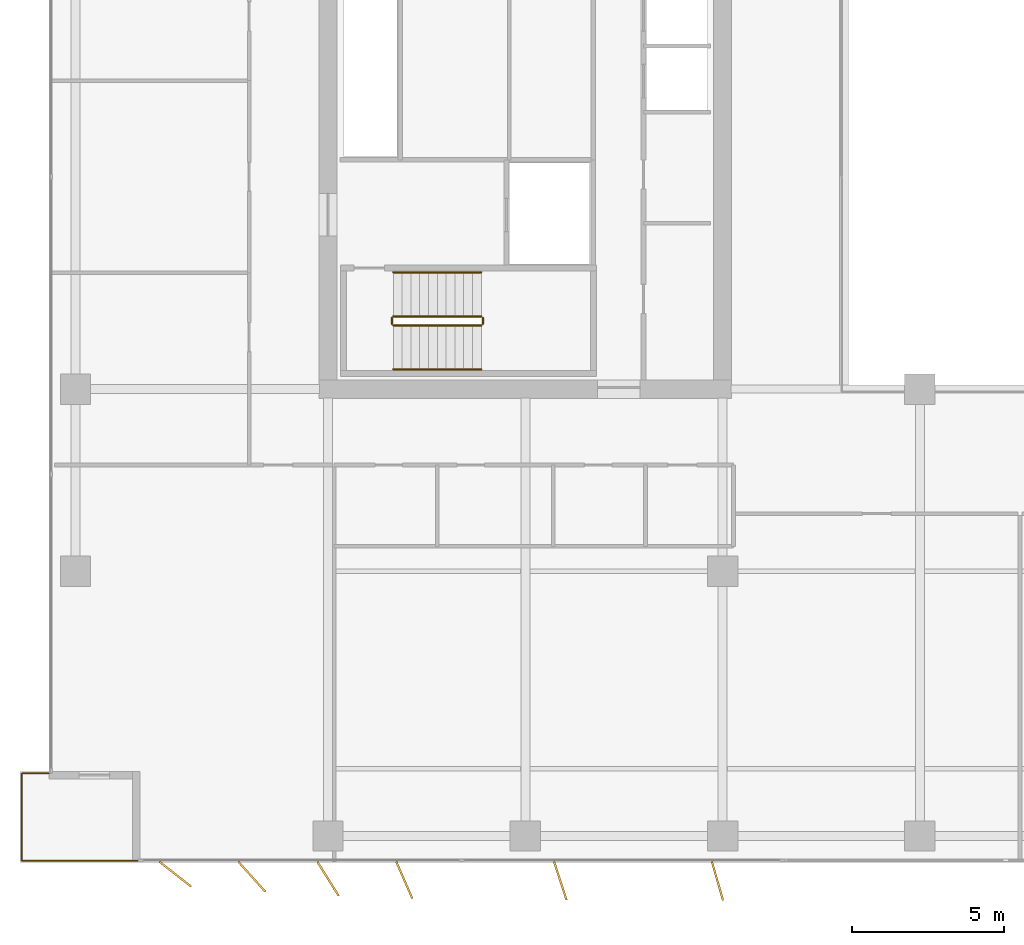
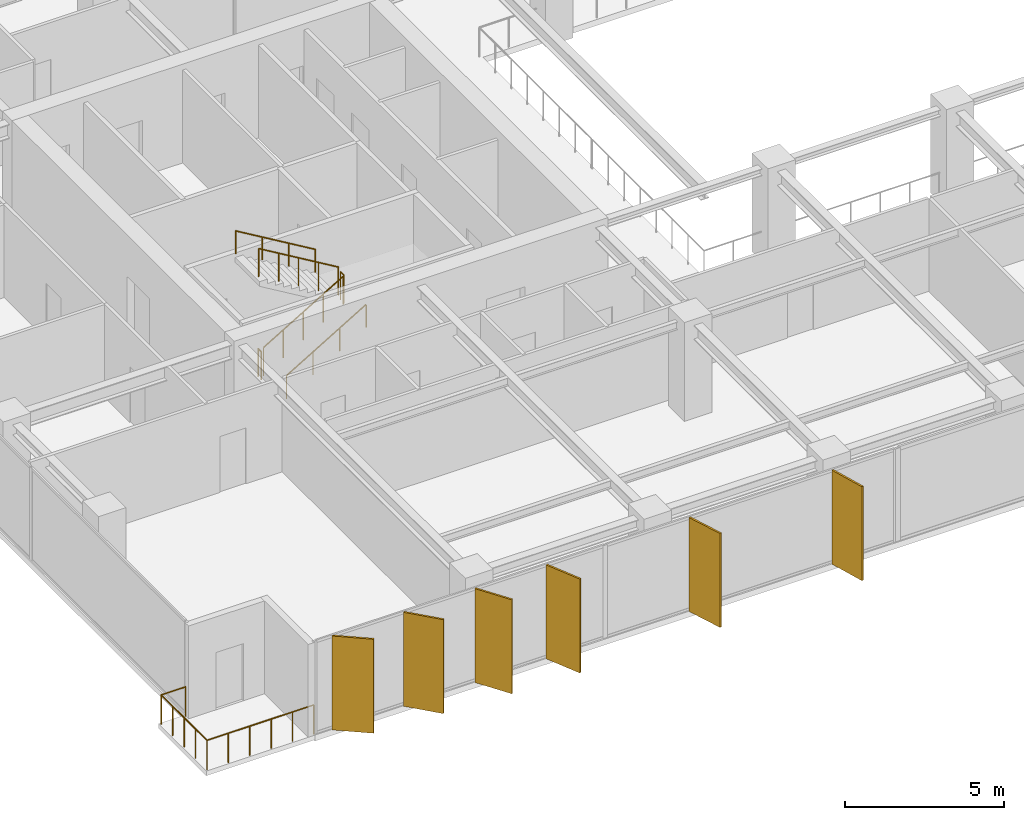
# One storey, part 19 of 22: 7 railings, 6 shading devices.
"""IFC4 building model written with IfcOpenShell, lengths in metres."""

from ifc_helpers import new_model, si_unit, direction, frame, origin, origin_2d, place, context, subcontext, project, spatial, rectangle, circle, extrude, material, layer, layer_set, type_object, element, save


model = new_model("IFC4")

# Units and contexts
model_context = context("Model", 3, precision=1e-05, world=origin(), true_north=direction((0.0, 1.0)))
body_context = subcontext(model_context, "Body", "Model", "MODEL_VIEW")
ifc_project = project(units=[si_unit("LENGTHUNIT", "METRE"), si_unit("AREAUNIT", "SQUARE_METRE"), si_unit("VOLUMEUNIT", "CUBIC_METRE"), si_unit("PLANEANGLEUNIT", "RADIAN"), si_unit("MASSUNIT", "GRAM", prefix="KILO")], contexts=[model_context])

# Site, building, storey
site_placement = place(None, origin())
site = spatial("IfcSite", under=ifc_project, at=site_placement, CompositionType="ELEMENT")
building_placement = place(site_placement, origin())
building = spatial("IfcBuilding", under=site, at=building_placement, Name="Putna Gate Headquarters", CompositionType="ELEMENT")
storey_placement = place(building_placement, frame((0.0, 0.0, 159.39990234375)))
storey = spatial("IfcBuildingStorey", under=building, at=storey_placement, Name="L39", CompositionType="ELEMENT", Elevation=159.39990234375)

# Railings
ifc_material_1 = material(Name="Powder-coated steel stair guardrail", Category="steel")
railing_type_1 = type_object("IfcRailingType", Name="RAIL-STAIR-GUARD-1100", PredefinedType="GUARDRAIL", material=ifc_material_1)
railing_1_placement = place(storey_placement, frame((15.14990234375, 21.10009765625, 0.1728515625)))
element("IfcRailing", 1, at=railing_1_placement, inside=storey, type_object=railing_type_1, Name="L39 ST1 stair guard 1", PredefinedType="GUARDRAIL", context=body_context, shape_type="SweptSolid", body=[
    extrude(circle(Radius=0.02392578125, at=origin_2d()), frame((0.0, 0.0, 1.076171875), z_axis=(0.859160404282, 0.0, 0.51170636083), x_axis=(0.0, 1.0, 0.0)), (0.0, 0.0, 1.0), 3.37548828125),
    extrude(circle(Radius=0.02099609375, at=origin_2d()), origin(), (0.0, 0.0, 1.0), 1.052001953125),
    extrude(circle(Radius=0.02099609375, at=origin_2d()), frame((0.72509765625, 0.0, 0.431884765625)), (0.0, 0.0, 1.0), 1.052001953125),
    extrude(circle(Radius=0.02099609375, at=origin_2d()), frame((1.4501953125, 0.0, 0.86376953125)), (0.0, 0.0, 1.0), 1.052001953125),
    extrude(circle(Radius=0.02099609375, at=origin_2d()), frame((2.175048828125, 0.0, 1.29541015625)), (0.0, 0.0, 1.0), 1.052001953125),
    extrude(circle(Radius=0.02099609375, at=origin_2d()), frame((2.900146484375, 0.0, 1.727294921875)), (0.0, 0.0, 1.0), 1.052001953125),
])
railing_2_placement = place(storey_placement, frame((18.10009765625, 21.14990234375, 1.900146484375)))
element("IfcRailing", 2, at=railing_2_placement, inside=storey, type_object=railing_type_1, Name="L39 ST1 stair guard 2", PredefinedType="GUARDRAIL", context=body_context, shape_type="SweptSolid", body=[
    extrude(circle(Radius=0.02392578125, at=origin_2d()), frame((0.0, 0.0, 1.076171875), z_axis=(0.0, 1.0, 0.0), x_axis=(-1.0, 0.0, 0.0)), (0.0, 0.0, 1.0), 0.2001953125),
    extrude(circle(Radius=0.02099609375, at=origin_2d()), origin(), (0.0, 0.0, 1.0), 1.052001953125),
    extrude(circle(Radius=0.02099609375, at=origin_2d()), frame((0.0, 0.2001953125, 0.0)), (0.0, 0.0, 1.0), 1.052001953125),
])
railing_3_placement = place(storey_placement, frame((18.050048828125, 21.39990234375, 2.07275390625)))
element("IfcRailing", 3, at=railing_3_placement, inside=storey, type_object=railing_type_1, Name="L39 ST1 stair guard 3", PredefinedType="GUARDRAIL", context=body_context, shape_type="SweptSolid", body=[
    extrude(circle(Radius=0.02392578125, at=origin_2d()), frame((0.0, 0.0, 1.076171875), z_axis=(-0.859160404282, 0.0, 0.51170636083), x_axis=(0.0, -1.0, 0.0)), (0.0, 0.0, 1.0), 3.37548828125),
    extrude(circle(Radius=0.02099609375, at=origin_2d()), origin(), (0.0, 0.0, 1.0), 1.052001953125),
    extrude(circle(Radius=0.02099609375, at=origin_2d()), frame((-0.72509765625, 0.0, 0.431884765625)), (0.0, 0.0, 1.0), 1.052001953125),
    extrude(circle(Radius=0.02099609375, at=origin_2d()), frame((-1.4501953125, 0.0, 0.86376953125)), (0.0, 0.0, 1.0), 1.052001953125),
    extrude(circle(Radius=0.02099609375, at=origin_2d()), frame((-2.175048828125, 0.0, 1.29541015625)), (0.0, 0.0, 1.0), 1.052001953125),
    extrude(circle(Radius=0.02099609375, at=origin_2d()), frame((-2.900146484375, 0.0, 1.727294921875)), (0.0, 0.0, 1.0), 1.052001953125),
])
railing_4_placement = place(storey_placement, frame((15.10009765625, 21.14990234375, 0.0)))
element("IfcRailing", 4, at=railing_4_placement, inside=storey, type_object=railing_type_1, Name="L39 ST1 stair guard 4", PredefinedType="GUARDRAIL", context=body_context, shape_type="SweptSolid", body=[
    extrude(circle(Radius=0.02392578125, at=origin_2d()), frame((0.0, 0.0, 1.076171875), z_axis=(0.0, 1.0, 0.0), x_axis=(-1.0, 0.0, 0.0)), (0.0, 0.0, 1.0), 0.2001953125),
    extrude(circle(Radius=0.02099609375, at=origin_2d()), origin(), (0.0, 0.0, 1.0), 1.052001953125),
    extrude(circle(Radius=0.02099609375, at=origin_2d()), frame((0.0, 0.2001953125, 0.0)), (0.0, 0.0, 1.0), 1.052001953125),
])
ifc_material_2 = material(Name="Brushed stainless steel handrail", Category="steel")
railing_type_2 = type_object("IfcRailingType", Name="RAIL-STAIR-HAND-900", PredefinedType="HANDRAIL", material=ifc_material_2)
railing_5_placement = place(storey_placement, frame((15.14990234375, 19.64990234375, 0.1728515625)))
element("IfcRailing", 5, at=railing_5_placement, inside=storey, type_object=railing_type_2, Name="L39 ST1 stair handrail 1", PredefinedType="HANDRAIL", context=body_context, shape_type="SweptSolid", body=[
    extrude(circle(Radius=0.02392578125, at=origin_2d()), frame((0.0, 0.0, 0.8759765625), z_axis=(0.859160404282, 0.0, 0.51170636083), x_axis=(0.0, 1.0, 0.0)), (0.0, 0.0, 1.0), 3.37548828125),
    extrude(circle(Radius=0.02099609375, at=origin_2d()), origin(), (0.0, 0.0, 1.0), 0.851806640625),
    extrude(circle(Radius=0.02099609375, at=origin_2d()), frame((0.966796875, 0.0, 0.57568359375)), (0.0, 0.0, 1.0), 0.851806640625),
    extrude(circle(Radius=0.02099609375, at=origin_2d()), frame((1.933349609375, 0.0, 1.151611328125)), (0.0, 0.0, 1.0), 0.851806640625),
    extrude(circle(Radius=0.02099609375, at=origin_2d()), frame((2.900146484375, 0.0, 1.727294921875)), (0.0, 0.0, 1.0), 0.851806640625),
])
railing_6_placement = place(storey_placement, frame((18.050048828125, 22.85009765625, 2.07275390625)))
element("IfcRailing", 6, at=railing_6_placement, inside=storey, type_object=railing_type_2, Name="L39 ST1 stair handrail 2", PredefinedType="HANDRAIL", context=body_context, shape_type="SweptSolid", body=[
    extrude(circle(Radius=0.02392578125, at=origin_2d()), frame((0.0, 0.0, 0.8759765625), z_axis=(-0.859160404282, 0.0, 0.51170636083), x_axis=(0.0, -1.0, 0.0)), (0.0, 0.0, 1.0), 3.37548828125),
    extrude(circle(Radius=0.02099609375, at=origin_2d()), origin(), (0.0, 0.0, 1.0), 0.851806640625),
    extrude(circle(Radius=0.02099609375, at=origin_2d()), frame((-0.966796875, 0.0, 0.57568359375)), (0.0, 0.0, 1.0), 0.851806640625),
    extrude(circle(Radius=0.02099609375, at=origin_2d()), frame((-1.933349609375, 0.0, 1.151611328125)), (0.0, 0.0, 1.0), 0.851806640625),
    extrude(circle(Radius=0.02099609375, at=origin_2d()), frame((-2.900146484375, 0.0, 1.727294921875)), (0.0, 0.0, 1.0), 0.851806640625),
])
ifc_material_3 = material(Name="Anodised bronze steel and laminated glass guardrail", Category="steel")
railing_type_3 = type_object("IfcRailingType", Name="RAIL-TERR-GUARD-1150", PredefinedType="GUARDRAIL", material=ifc_material_3)
railing_7_placement = place(storey_placement, frame((6.800048828125, 3.4599609375, 0.0)))
element("IfcRailing", 7, at=railing_7_placement, inside=storey, type_object=railing_type_3, Name="L39 Spiral Sky Terrace Guardrail SW", PredefinedType="GUARDRAIL", context=body_context, shape_type="SweptSolid", body=[
    extrude(circle(Radius=0.02392578125, at=origin_2d()), frame((0.0, 0.0, 1.1259765625), z_axis=(-1.0, 0.0, 0.0), x_axis=(0.0, -1.0, 0.0)), (0.0, 0.0, 1.0), 3.89013671875),
    extrude(circle(Radius=0.02392578125, at=origin_2d()), frame((-3.89013671875, 0.0, 1.1259765625), z_axis=(0.0, 1.0, 0.0), x_axis=(-1.0, 0.0, 0.0)), (0.0, 0.0, 1.0), 2.880126953125),
    extrude(circle(Radius=0.02392578125, at=origin_2d()), frame((-3.89013671875, 2.880126953125, 1.1259765625), z_axis=(1.0, 0.0, 0.0), x_axis=(0.0, 1.0, 0.0)), (0.0, 0.0, 1.0), 0.89013671875),
    extrude(circle(Radius=0.02099609375, at=origin_2d()), origin(), (0.0, 0.0, 1.0), 1.101806640625),
    extrude(circle(Radius=0.02099609375, at=origin_2d()), frame((-0.778076171875, 0.0, 0.0)), (0.0, 0.0, 1.0), 1.101806640625),
    extrude(circle(Radius=0.02099609375, at=origin_2d()), frame((-1.55615234375, 0.0, 0.0)), (0.0, 0.0, 1.0), 1.101806640625),
    extrude(circle(Radius=0.02099609375, at=origin_2d()), frame((-2.333984375, 0.0, 0.0)), (0.0, 0.0, 1.0), 1.101806640625),
    extrude(circle(Radius=0.02099609375, at=origin_2d()), frame((-3.112060546875, 0.0, 0.0)), (0.0, 0.0, 1.0), 1.101806640625),
    extrude(circle(Radius=0.02099609375, at=origin_2d()), frame((-3.89013671875, 0.0, 0.0)), (0.0, 0.0, 1.0), 1.101806640625),
    extrude(circle(Radius=0.02099609375, at=origin_2d()), frame((-3.89013671875, 0.719970703125, 0.0)), (0.0, 0.0, 1.0), 1.101806640625),
    extrude(circle(Radius=0.02099609375, at=origin_2d()), frame((-3.89013671875, 1.43994140625, 0.0)), (0.0, 0.0, 1.0), 1.101806640625),
    extrude(circle(Radius=0.02099609375, at=origin_2d()), frame((-3.89013671875, 2.16015625, 0.0)), (0.0, 0.0, 1.0), 1.101806640625),
    extrude(circle(Radius=0.02099609375, at=origin_2d()), frame((-3.89013671875, 2.880126953125, 0.0)), (0.0, 0.0, 1.0), 1.101806640625),
    extrude(circle(Radius=0.02099609375, at=origin_2d()), frame((-3.0, 2.880126953125, 0.0)), (0.0, 0.0, 1.0), 1.101806640625),
])

# Shading devices
ifc_material_4 = material(Name="Anodised architectural bronze aluminium fin", Category="aluminium")
ifc_layer = layer(ifc_material_4, 0.06494140625)
ifc_layer_set = layer_set([ifc_layer], Name="Anodised architectural bronze aluminium fin")
shading_device_type = type_object("IfcShadingDeviceType", Name="SHADE-BRONZE-FIN-1320", PredefinedType="USERDEFINED", material=ifc_layer_set)
for number, where, z_axis, x_axis, name in (
    (8, (7.9697265625, 3.018310546875, -0.02001953125), (0.0, 0.0, 1.0), (0.787473187632, -0.616348909921, 0.0), "L39 Bronze Vertical Shading Fin S1"),
    (9, (10.49169921875, 2.9345703125, -0.02001953125), (0.0, 0.0, 1.0), (0.669130606359, -0.743144825477, 0.0), "L39 Bronze Vertical Shading Fin S2"),
    (10, (13.000244140625, 2.865478515625, -0.02001953125), (0.0, 0.0, 1.0), (0.530659123936, -0.847585331506, 0.0), "L39 Bronze Vertical Shading Fin S3"),
    (11, (15.514404296875, 2.8203125, -0.02001953125), (0.0, 0.0, 1.0), (0.400668879095, -0.916222925562, 0.0), "L39 Bronze Vertical Shading Fin S4"),
    (12, (20.65380859375, 2.797119140625, -0.02001953125), (0.0, 0.0, 1.0), (0.308684994204, -0.951164325631, 0.0), "L39 Bronze Vertical Shading Fin S5"),
    (13, (25.831787109375, 2.79052734375, -0.02001953125), (0.0, 0.0, 1.0), (0.275637355817, -0.961261695938, 0.0), "L39 Bronze Vertical Shading Fin S6"),
):
    element("IfcShadingDevice", number, at=place(storey_placement, frame(where, z_axis=z_axis, x_axis=x_axis)), inside=storey, type_object=shading_device_type, Name=name, ObjectType="FIN", PredefinedType="USERDEFINED", context=body_context, shape_type="SweptSolid", body=[
        extrude(rectangle(XDim=1.320068359375, YDim=0.06494140625, at=origin_2d()), origin(), (0.0, 0.0, 1.0), 3.612060546875),
    ])

save(model, "model.ifc")
